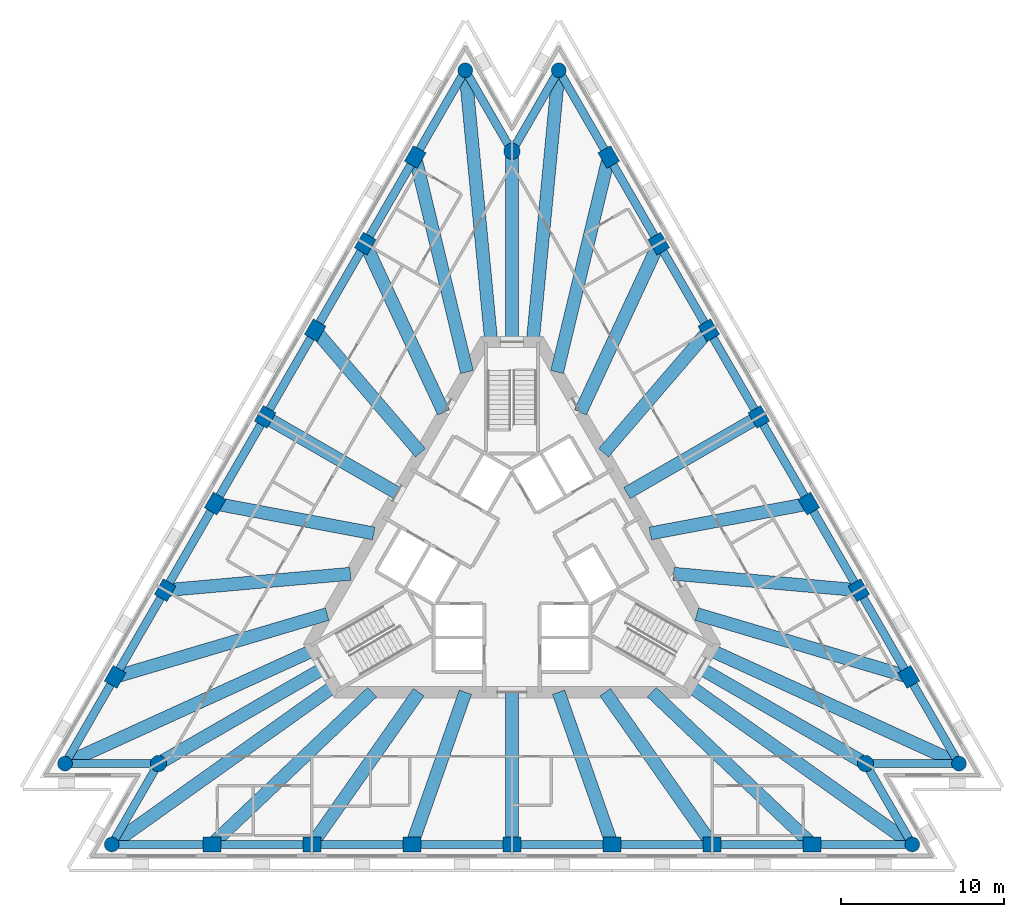
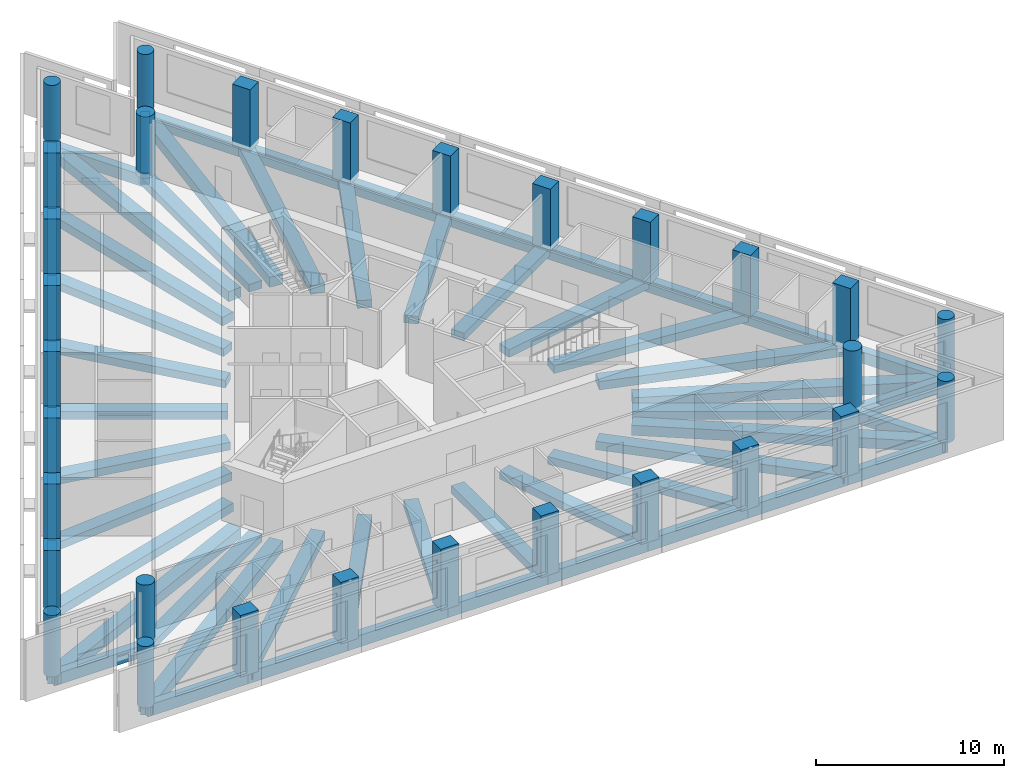
# One storey, part 1 of 9: 60 beams, 30 columns.
"""IFC4 building model written with IfcOpenShell, lengths in metres."""

from ifc_helpers import new_model, si_unit, direction, frame, origin, origin_2d, place, context, subcontext, project, spatial, rectangle, circle, extrude, material, material_profile, profile_set, type_object, element, save


model = new_model("IFC4")

# Units and contexts
model_context = context("Model", 3, precision=1e-05, world=origin(), true_north=direction((0.0, 1.0)))
body_context = subcontext(model_context, "Body", "Model", "MODEL_VIEW")
ifc_project = project(units=[si_unit("LENGTHUNIT", "METRE"), si_unit("AREAUNIT", "SQUARE_METRE"), si_unit("VOLUMEUNIT", "CUBIC_METRE"), si_unit("PLANEANGLEUNIT", "RADIAN"), si_unit("MASSUNIT", "GRAM", prefix="KILO")], contexts=[model_context])

# Site, building, storey
site_placement = place(None, origin())
site = spatial("IfcSite", under=ifc_project, at=site_placement, CompositionType="ELEMENT")
building_placement = place(site_placement, origin())
building = spatial("IfcBuilding", under=site, at=building_placement, Name="Triada Interchange Tower", CompositionType="ELEMENT")
storey_placement = place(building_placement, frame((0.0, 0.0, 203.300048828125)))
storey = spatial("IfcBuildingStorey", under=building, at=storey_placement, Name="L47", CompositionType="ELEMENT", Elevation=203.300048828125)

# Columns
ifc_material = material(Name="Concrete C50/60", Category="concrete")
ifc_material_profile_1 = material_profile(ifc_material, rectangle(XDim=1.10009765625, YDim=0.89990234375, at=origin_2d()), Name="RC 1100x900")
ifc_profile_set_1 = profile_set([ifc_material_profile_1], Name="Concrete C50/60")
column_type_1 = type_object("IfcColumnType", Name="Column C face RC 1100x900", PredefinedType="COLUMN", material=ifc_profile_set_1)
for number, where, z_axis, x_axis, name in (
    (1, (-5.94091796875, 24.714111328125, -0.300048828125), (0.0, 0.0, 1.0), (0.5, 0.866025403784, 0.0), "Column CC02 L47"),
    (2, (-9.012939453125, 19.39306640625, -0.300048828125), (0.0, 0.0, 1.0), (0.5, 0.866025403784, 0.0), "Column CC03 L47"),
    (3, (-12.0849609375, 14.072021484375, -0.300048828125), (0.0, 0.0, 1.0), (0.5, 0.866025403784, 0.0), "Column CC04 L47"),
    (4, (-15.157958984375, 8.7509765625, -0.300048828125), (0.0, 0.0, 1.0), (0.5, 0.866025403784, 0.0), "Column CC05 L47"),
    (5, (-18.22998046875, 3.429931640625, -0.300048828125), (0.0, 0.0, 1.0), (0.5, 0.866025403784, 0.0), "Column CC06 L47"),
    (6, (-21.302001953125, -1.89111328125, -0.300048828125), (0.0, 0.0, 1.0), (0.5, 0.866025403784, 0.0), "Column CC07 L47"),
    (7, (-24.3740234375, -7.2119140625, -0.300048828125), (0.0, 0.0, 1.0), (0.5, 0.866025403784, 0.0), "Column CC08 L47"),
    (8, (-18.43310546875, -17.501953125, -0.300048828125), (0.0, 0.0, 1.0), (1.0, 0.0, 0.0), "Column CC11 L47"),
    (9, (-12.2880859375, -17.501953125, -0.300048828125), (0.0, 0.0, 1.0), (1.0, 0.0, 0.0), "Column CC12 L47"),
    (10, (-6.14404296875, -17.501953125, -0.300048828125), (0.0, 0.0, 1.0), (1.0, 0.0, 0.0), "Column CC13 L47"),
    (11, (0.0, -17.501953125, -0.300048828125), (0.0, 0.0, 1.0), (1.0, 0.0, 0.0), "Column CC14 L47"),
    (12, (6.14404296875, -17.501953125, -0.300048828125), (0.0, 0.0, 1.0), (1.0, 0.0, 0.0), "Column CC15 L47"),
    (13, (12.2890625, -17.501953125, -0.300048828125), (0.0, 0.0, 1.0), (1.0, 0.0, 0.0), "Column CC16 L47"),
    (14, (18.43310546875, -17.501953125, -0.300048828125), (0.0, 0.0, 1.0), (1.0, 0.0, 0.0), "Column CC17 L47"),
    (15, (24.3740234375, -7.2119140625, -0.300048828125), (0.0, 0.0, 1.0), (-0.5, 0.866025403784, 0.0), "Column CC20 L47"),
    (16, (21.302001953125, -1.89111328125, -0.300048828125), (0.0, 0.0, 1.0), (-0.5, 0.866025403784, 0.0), "Column CC21 L47"),
    (17, (18.22998046875, 3.429931640625, -0.300048828125), (0.0, 0.0, 1.0), (-0.5, 0.866025403784, 0.0), "Column CC22 L47"),
    (18, (15.157958984375, 8.7509765625, -0.300048828125), (0.0, 0.0, 1.0), (-0.5, 0.866025403784, 0.0), "Column CC23 L47"),
    (19, (12.0849609375, 14.072021484375, -0.300048828125), (0.0, 0.0, 1.0), (-0.5, 0.866025403784, 0.0), "Column CC24 L47"),
    (20, (9.012939453125, 19.39306640625, -0.300048828125), (0.0, 0.0, 1.0), (-0.5, 0.866025403784, 0.0), "Column CC25 L47"),
    (21, (5.94091796875, 24.714111328125, -0.300048828125), (0.0, 0.0, 1.0), (-0.5, 0.866025403784, 0.0), "Column CC26 L47"),
):
    element("IfcColumn", number, at=place(storey_placement, frame(where, z_axis=z_axis, x_axis=x_axis)), inside=storey, type_object=column_type_1, Name=name, PredefinedType="COLUMN", context=body_context, shape_type="SweptSolid", body=[
        extrude(rectangle(XDim=1.10009765625, YDim=0.89990234375, at=origin_2d()), origin(), (0.0, 0.0, 1.0), 4.0),
    ])
ifc_material_profile_2 = material_profile(ifc_material, circle(Radius=0.449951171875, at=origin_2d()), Name="RC D900")
ifc_profile_set_2 = profile_set([ifc_material_profile_2], Name="Concrete C50/60")
column_type_2 = type_object("IfcColumnType", Name="End column C RC D900", PredefinedType="COLUMN", material=ifc_profile_set_2)
for number, where, z_axis, x_axis, name in (
    (22, (-2.868896484375, 30.034912109375, -0.300048828125), (0.0, 0.0, 1.0), (0.5, 0.866025403784, 0.0), "Column CC01 L47"),
    (23, (-27.446044921875, -12.532958984375, -0.300048828125), (0.0, 0.0, 1.0), (0.5, 0.866025403784, 0.0), "Column CC09 L47"),
    (24, (-24.576904296875, -17.501953125, -0.300048828125), (0.0, 0.0, 1.0), (1.0, 0.0, 0.0), "Column CC10 L47"),
    (25, (24.576904296875, -17.501953125, -0.300048828125), (0.0, 0.0, 1.0), (1.0, 0.0, 0.0), "Column CC18 L47"),
    (26, (27.446044921875, -12.532958984375, -0.300048828125), (0.0, 0.0, 1.0), (-0.5, 0.866025403784, 0.0), "Column CC19 L47"),
    (27, (2.868896484375, 30.034912109375, -0.300048828125), (0.0, 0.0, 1.0), (-0.5, 0.866025403784, 0.0), "Column CC27 L47"),
):
    element("IfcColumn", number, at=place(storey_placement, frame(where, z_axis=z_axis, x_axis=x_axis)), inside=storey, type_object=column_type_2, Name=name, PredefinedType="COLUMN", context=body_context, shape_type="SweptSolid", body=[
        extrude(circle(Radius=0.449951171875, at=origin_2d()), origin(), (0.0, 0.0, 1.0), 4.0),
    ])
ifc_material_profile_3 = material_profile(ifc_material, circle(Radius=0.5, at=origin_2d()), Name="RC D1000")
ifc_profile_set_3 = profile_set([ifc_material_profile_3], Name="Concrete C50/60")
column_type_3 = type_object("IfcColumnType", Name="Mega column C RC D1000", PredefinedType="COLUMN", material=ifc_profile_set_3)
for number, where, z_axis, x_axis, name in (
    (28, (0.0, 25.06689453125, -0.300048828125), (0.0, 0.0, 1.0), (1.0, 0.0, 0.0), "Column MC1 L47"),
    (29, (-21.7080078125, -12.532958984375, -0.300048828125), (0.0, 0.0, 1.0), (1.0, 0.0, 0.0), "Column MC2 L47"),
    (30, (21.7080078125, -12.532958984375, -0.300048828125), (0.0, 0.0, 1.0), (1.0, 0.0, 0.0), "Column MC3 L47"),
):
    element("IfcColumn", number, at=place(storey_placement, frame(where, z_axis=z_axis, x_axis=x_axis)), inside=storey, type_object=column_type_3, Name=name, PredefinedType="COLUMN", context=body_context, shape_type="SweptSolid", body=[
        extrude(circle(Radius=0.5, at=origin_2d()), origin(), (0.0, 0.0, 1.0), 4.0),
    ])

# Beams
ifc_material_profile_4 = material_profile(ifc_material, rectangle(XDim=0.800048828125, YDim=0.5, at=origin_2d()), Name="RC 800x500")
ifc_profile_set_4 = profile_set([ifc_material_profile_4], Name="Concrete C50/60")
beam_type_1 = type_object("IfcBeamType", Name="Radial band beam C RC 800x500", PredefinedType="BEAM", material=ifc_profile_set_4)
beam_1_placement = place(storey_placement, frame((-9.012939453125, 19.39306640625, -0.550048828125), z_axis=(0.421435804437, -0.906858237399, 0.0), x_axis=(0.906858237399, 0.421435804437, 0.0)))
element("IfcBeam", 31, at=beam_1_placement, inside=storey, type_object=beam_type_1, Name="Radial band beam BC03 L47", PredefinedType="BEAM", context=body_context, shape_type="SweptSolid", body=[
    extrude(rectangle(XDim=0.800048828125, YDim=0.5, at=origin_2d()), origin(), (0.0, 0.0, 1.0), 11.427490234375),
])
beam_2_placement = place(storey_placement, frame((-12.0849609375, 14.072021484375, -0.550048828125), z_axis=(0.651553753788, -0.758602468969, 0.0), x_axis=(0.758602468969, 0.651553753788, 0.0)))
element("IfcBeam", 32, at=beam_2_placement, inside=storey, type_object=beam_type_1, Name="Radial band beam BC04 L47", PredefinedType="BEAM", context=body_context, shape_type="SweptSolid", body=[
    extrude(rectangle(XDim=0.800048828125, YDim=0.5, at=origin_2d()), origin(), (0.0, 0.0, 1.0), 9.91162109375),
])
beam_3_placement = place(storey_placement, frame((-15.157958984375, 8.7509765625, -0.550048828125), z_axis=(0.866045182482, -0.499965740726, 0.0), x_axis=(0.499965740726, 0.866045182482, 0.0)))
element("IfcBeam", 33, at=beam_3_placement, inside=storey, type_object=beam_type_1, Name="Radial band beam BC05 L47", PredefinedType="BEAM", context=body_context, shape_type="SweptSolid", body=[
    extrude(rectangle(XDim=0.800048828125, YDim=0.5, at=origin_2d()), origin(), (0.0, 0.0, 1.0), 9.352783203125),
])
beam_4_placement = place(storey_placement, frame((-18.22998046875, 3.429931640625, -0.550048828125), z_axis=(0.982751797305, -0.184929459239, 0.0), x_axis=(0.184929459239, 0.982751797305, 0.0)))
element("IfcBeam", 34, at=beam_4_placement, inside=storey, type_object=beam_type_1, Name="Radial band beam BC06 L47", PredefinedType="BEAM", context=body_context, shape_type="SweptSolid", body=[
    extrude(rectangle(XDim=0.800048828125, YDim=0.5, at=origin_2d()), origin(), (0.0, 0.0, 1.0), 9.911865234375),
])
beam_5_placement = place(storey_placement, frame((-21.302001953125, -1.89111328125, -0.550048828125), z_axis=(0.996086654395, 0.088381994407, 0.0), x_axis=(-0.088381994407, 0.996086654395, 0.0)))
element("IfcBeam", 35, at=beam_5_placement, inside=storey, type_object=beam_type_1, Name="Radial band beam BC07 L47", PredefinedType="BEAM", context=body_context, shape_type="SweptSolid", body=[
    extrude(rectangle(XDim=0.800048828125, YDim=0.5, at=origin_2d()), origin(), (0.0, 0.0, 1.0), 11.427734375),
])
beam_6_placement = place(storey_placement, frame((-21.7080078125, -12.532958984375, -0.550048828125), z_axis=(0.866021094919, 0.500007463099, 0.0), x_axis=(-0.500007463099, 0.866021094919, 0.0)))
element("IfcBeam", 36, at=beam_6_placement, inside=storey, type_object=beam_type_1, Name="Radial band beam BC10 L47", PredefinedType="BEAM", context=body_context, shape_type="SweptSolid", body=[
    extrude(rectangle(XDim=0.800048828125, YDim=0.5, at=origin_2d()), origin(), (0.0, 0.0, 1.0), 11.715576171875),
])
beam_7_placement = place(storey_placement, frame((-12.2880859375, -17.501953125, -0.550048828125), z_axis=(0.574620373641, 0.818420079297, 0.0), x_axis=(-0.818420079297, 0.574620373641, 0.0)))
element("IfcBeam", 37, at=beam_7_placement, inside=storey, type_object=beam_type_1, Name="Radial band beam BC13 L47", PredefinedType="BEAM", context=body_context, shape_type="SweptSolid", body=[
    extrude(rectangle(XDim=0.800048828125, YDim=0.5, at=origin_2d()), origin(), (0.0, 0.0, 1.0), 11.427001953125),
])
beam_8_placement = place(storey_placement, frame((-6.14404296875, -17.501953125, -0.550048828125), z_axis=(0.331225841465, 0.94355150466, 0.0), x_axis=(-0.94355150466, 0.331225841465, 0.0)))
element("IfcBeam", 38, at=beam_8_placement, inside=storey, type_object=beam_type_1, Name="Radial band beam BC14 L47", PredefinedType="BEAM", context=body_context, shape_type="SweptSolid", body=[
    extrude(rectangle(XDim=0.800048828125, YDim=0.5, at=origin_2d()), origin(), (0.0, 0.0, 1.0), 9.91162109375),
])
beam_9_placement = place(storey_placement, frame((0.0, -17.501953125, -0.550048828125), z_axis=(0.0, 1.0, 0.0), x_axis=(-1.0, 0.0, 0.0)))
element("IfcBeam", 39, at=beam_9_placement, inside=storey, type_object=beam_type_1, Name="Radial band beam BC15 L47", PredefinedType="BEAM", context=body_context, shape_type="SweptSolid", body=[
    extrude(rectangle(XDim=0.800048828125, YDim=0.5, at=origin_2d()), origin(), (0.0, 0.0, 1.0), 9.35205078125),
])
beam_10_placement = place(storey_placement, frame((6.14404296875, -17.501953125, -0.550048828125), z_axis=(-0.331225841465, 0.94355150466, 0.0), x_axis=(-0.94355150466, -0.331225841465, 0.0)))
element("IfcBeam", 40, at=beam_10_placement, inside=storey, type_object=beam_type_1, Name="Radial band beam BC16 L47", PredefinedType="BEAM", context=body_context, shape_type="SweptSolid", body=[
    extrude(rectangle(XDim=0.800048828125, YDim=0.5, at=origin_2d()), origin(), (0.0, 0.0, 1.0), 9.91162109375),
])
beam_11_placement = place(storey_placement, frame((12.2890625, -17.501953125, -0.550048828125), z_axis=(-0.574620373641, 0.818420079297, 0.0), x_axis=(-0.818420079297, -0.574620373641, 0.0)))
element("IfcBeam", 41, at=beam_11_placement, inside=storey, type_object=beam_type_1, Name="Radial band beam BC17 L47", PredefinedType="BEAM", context=body_context, shape_type="SweptSolid", body=[
    extrude(rectangle(XDim=0.800048828125, YDim=0.5, at=origin_2d()), origin(), (0.0, 0.0, 1.0), 11.427001953125),
])
beam_12_placement = place(storey_placement, frame((21.7080078125, -12.532958984375, -0.550048828125), z_axis=(-0.866021094919, 0.500007463099, 0.0), x_axis=(-0.500007463099, -0.866021094919, 0.0)))
element("IfcBeam", 42, at=beam_12_placement, inside=storey, type_object=beam_type_1, Name="Radial band beam BC20 L47", PredefinedType="BEAM", context=body_context, shape_type="SweptSolid", body=[
    extrude(rectangle(XDim=0.800048828125, YDim=0.5, at=origin_2d()), origin(), (0.0, 0.0, 1.0), 11.715576171875),
])
beam_13_placement = place(storey_placement, frame((21.302001953125, -1.89111328125, -0.550048828125), z_axis=(-0.996086654395, 0.088381994407, 0.0), x_axis=(-0.088381994407, -0.996086654395, 0.0)))
element("IfcBeam", 43, at=beam_13_placement, inside=storey, type_object=beam_type_1, Name="Radial band beam BC23 L47", PredefinedType="BEAM", context=body_context, shape_type="SweptSolid", body=[
    extrude(rectangle(XDim=0.800048828125, YDim=0.5, at=origin_2d()), origin(), (0.0, 0.0, 1.0), 11.427734375),
])
beam_14_placement = place(storey_placement, frame((18.22998046875, 3.429931640625, -0.550048828125), z_axis=(-0.982751797305, -0.184929459239, 0.0), x_axis=(0.184929459239, -0.982751797305, 0.0)))
element("IfcBeam", 44, at=beam_14_placement, inside=storey, type_object=beam_type_1, Name="Radial band beam BC24 L47", PredefinedType="BEAM", context=body_context, shape_type="SweptSolid", body=[
    extrude(rectangle(XDim=0.800048828125, YDim=0.5, at=origin_2d()), origin(), (0.0, 0.0, 1.0), 9.911865234375),
])
beam_15_placement = place(storey_placement, frame((15.157958984375, 8.7509765625, -0.550048828125), z_axis=(-0.866045182482, -0.499965740726, 0.0), x_axis=(0.499965740726, -0.866045182482, 0.0)))
element("IfcBeam", 45, at=beam_15_placement, inside=storey, type_object=beam_type_1, Name="Radial band beam BC25 L47", PredefinedType="BEAM", context=body_context, shape_type="SweptSolid", body=[
    extrude(rectangle(XDim=0.800048828125, YDim=0.5, at=origin_2d()), origin(), (0.0, 0.0, 1.0), 9.352783203125),
])
beam_16_placement = place(storey_placement, frame((12.0849609375, 14.072021484375, -0.550048828125), z_axis=(-0.651553753788, -0.758602468969, 0.0), x_axis=(0.758602468969, -0.651553753788, 0.0)))
element("IfcBeam", 46, at=beam_16_placement, inside=storey, type_object=beam_type_1, Name="Radial band beam BC26 L47", PredefinedType="BEAM", context=body_context, shape_type="SweptSolid", body=[
    extrude(rectangle(XDim=0.800048828125, YDim=0.5, at=origin_2d()), origin(), (0.0, 0.0, 1.0), 9.91162109375),
])
beam_17_placement = place(storey_placement, frame((9.012939453125, 19.39306640625, -0.550048828125), z_axis=(-0.421435804437, -0.906858237399, 0.0), x_axis=(0.906858237399, -0.421435804437, 0.0)))
element("IfcBeam", 47, at=beam_17_placement, inside=storey, type_object=beam_type_1, Name="Radial band beam BC27 L47", PredefinedType="BEAM", context=body_context, shape_type="SweptSolid", body=[
    extrude(rectangle(XDim=0.800048828125, YDim=0.5, at=origin_2d()), origin(), (0.0, 0.0, 1.0), 11.427490234375),
])
beam_18_placement = place(storey_placement, frame((0.0, 25.06689453125, -0.550048828125), z_axis=(0.0, -1.0, 0.0), x_axis=(1.0, 0.0, 0.0)))
element("IfcBeam", 48, at=beam_18_placement, inside=storey, type_object=beam_type_1, Name="Radial band beam BC30 L47", PredefinedType="BEAM", context=body_context, shape_type="SweptSolid", body=[
    extrude(rectangle(XDim=0.800048828125, YDim=0.5, at=origin_2d()), origin(), (0.0, 0.0, 1.0), 11.716796875),
])
ifc_material_profile_5 = material_profile(ifc_material, rectangle(XDim=0.800048828125, YDim=0.550048828125, at=origin_2d()), Name="RC 800x550")
ifc_profile_set_5 = profile_set([ifc_material_profile_5], Name="Concrete C50/60")
beam_type_2 = type_object("IfcBeamType", Name="Radial band beam C RC 800x550", PredefinedType="BEAM", material=ifc_profile_set_5)
for number, where, z_axis, x_axis, name in (
    (49, (-5.94091796875, 24.714111328125, -0.574951171875), (0.233745486044, -0.972297818446, 0.0), (0.972297818446, 0.233745486044, 0.0), "Radial band beam BC02 L47"),
    (50, (-24.3740234375, -7.2119140625, -0.574951171875), (0.958897064594, 0.283754153295, 0.0), (-0.283754153295, 0.958897064594, 0.0), "Radial band beam BC08 L47"),
):
    element("IfcBeam", number, at=place(storey_placement, frame(where, z_axis=z_axis, x_axis=x_axis)), inside=storey, type_object=beam_type_2, Name=name, PredefinedType="BEAM", context=body_context, shape_type="SweptSolid", body=[
        extrude(rectangle(XDim=0.800048828125, YDim=0.550048828125, at=origin_2d()), origin(), (0.0, 0.0, 1.0), 13.582275390625),
    ])
for number, where, z_axis, x_axis, name in (
    (51, (-18.43310546875, -17.501953125, -0.574951171875), (0.725169057196, 0.688570866713, 0.0), (-0.688570866713, 0.725169057196, 0.0), "Radial band beam BC12 L47"),
    (52, (18.43310546875, -17.501953125, -0.574951171875), (-0.725169057196, 0.688570866713, 0.0), (-0.688570866713, -0.725169057196, 0.0), "Radial band beam BC18 L47"),
):
    element("IfcBeam", number, at=place(storey_placement, frame(where, z_axis=z_axis, x_axis=x_axis)), inside=storey, type_object=beam_type_2, Name=name, PredefinedType="BEAM", context=body_context, shape_type="SweptSolid", body=[
        extrude(rectangle(XDim=0.800048828125, YDim=0.550048828125, at=origin_2d()), origin(), (0.0, 0.0, 1.0), 13.581787109375),
    ])
for number, where, z_axis, x_axis, name in (
    (53, (24.3740234375, -7.2119140625, -0.574951171875), (-0.958897064594, 0.283754153295, 0.0), (-0.283754153295, -0.958897064594, 0.0), "Radial band beam BC22 L47"),
    (54, (5.94091796875, 24.714111328125, -0.574951171875), (-0.233745486044, -0.972297818446, 0.0), (0.972297818446, -0.233745486044, 0.0), "Radial band beam BC28 L47"),
):
    element("IfcBeam", number, at=place(storey_placement, frame(where, z_axis=z_axis, x_axis=x_axis)), inside=storey, type_object=beam_type_2, Name=name, PredefinedType="BEAM", context=body_context, shape_type="SweptSolid", body=[
        extrude(rectangle(XDim=0.800048828125, YDim=0.550048828125, at=origin_2d()), origin(), (0.0, 0.0, 1.0), 13.582275390625),
    ])
ifc_material_profile_6 = material_profile(ifc_material, rectangle(XDim=0.800048828125, YDim=0.64990234375, at=origin_2d()), Name="RC 800x650")
ifc_profile_set_6 = profile_set([ifc_material_profile_6], Name="Concrete C50/60")
beam_type_3 = type_object("IfcBeamType", Name="Radial band beam C RC 800x650", PredefinedType="BEAM", material=ifc_profile_set_6)
beam_19_placement = place(storey_placement, frame((-2.868896484375, 30.034912109375, -0.625), z_axis=(0.095102605267, -0.995467475346, 0.0), x_axis=(0.995467475346, 0.095102605267, 0.0)))
element("IfcBeam", 55, at=beam_19_placement, inside=storey, type_object=beam_type_3, Name="Radial band beam BC01 L47", PredefinedType="BEAM", context=body_context, shape_type="SweptSolid", body=[
    extrude(rectangle(XDim=0.800048828125, YDim=0.64990234375, at=origin_2d()), origin(), (0.0, 0.0, 1.0), 16.7607421875),
])
beam_20_placement = place(storey_placement, frame((-27.446044921875, -12.532958984375, -0.625), z_axis=(0.909658813197, 0.415356285101, 0.0), x_axis=(-0.415356285101, 0.909658813197, 0.0)))
element("IfcBeam", 56, at=beam_20_placement, inside=storey, type_object=beam_type_3, Name="Radial band beam BC09 L47", PredefinedType="BEAM", context=body_context, shape_type="SweptSolid", body=[
    extrude(rectangle(XDim=0.800048828125, YDim=0.64990234375, at=origin_2d()), origin(), (0.0, 0.0, 1.0), 16.76123046875),
])
for number, where, z_axis, x_axis, name in (
    (57, (-24.576904296875, -17.501953125, -0.625), (0.814554450397, 0.580087103234, 0.0), (-0.580087103234, 0.814554450397, 0.0), "Radial band beam BC11 L47"),
    (58, (24.576904296875, -17.501953125, -0.625), (-0.814554450397, 0.580087103234, 0.0), (-0.580087103234, -0.814554450397, 0.0), "Radial band beam BC19 L47"),
):
    element("IfcBeam", number, at=place(storey_placement, frame(where, z_axis=z_axis, x_axis=x_axis)), inside=storey, type_object=beam_type_3, Name=name, PredefinedType="BEAM", context=body_context, shape_type="SweptSolid", body=[
        extrude(rectangle(XDim=0.800048828125, YDim=0.64990234375, at=origin_2d()), origin(), (0.0, 0.0, 1.0), 16.760986328125),
    ])
beam_21_placement = place(storey_placement, frame((27.446044921875, -12.532958984375, -0.625), z_axis=(-0.909658813197, 0.415356285101, 0.0), x_axis=(-0.415356285101, -0.909658813197, 0.0)))
element("IfcBeam", 59, at=beam_21_placement, inside=storey, type_object=beam_type_3, Name="Radial band beam BC21 L47", PredefinedType="BEAM", context=body_context, shape_type="SweptSolid", body=[
    extrude(rectangle(XDim=0.800048828125, YDim=0.64990234375, at=origin_2d()), origin(), (0.0, 0.0, 1.0), 16.76123046875),
])
beam_22_placement = place(storey_placement, frame((2.868896484375, 30.034912109375, -0.625), z_axis=(-0.095102605267, -0.995467475346, 0.0), x_axis=(0.995467475346, -0.095102605267, 0.0)))
element("IfcBeam", 60, at=beam_22_placement, inside=storey, type_object=beam_type_3, Name="Radial band beam BC29 L47", PredefinedType="BEAM", context=body_context, shape_type="SweptSolid", body=[
    extrude(rectangle(XDim=0.800048828125, YDim=0.64990234375, at=origin_2d()), origin(), (0.0, 0.0, 1.0), 16.7607421875),
])
ifc_material_profile_7 = material_profile(ifc_material, rectangle(XDim=0.5, YDim=0.75, at=origin_2d()), Name="RC 500x750")
ifc_profile_set_7 = profile_set([ifc_material_profile_7], Name="Concrete C50/60")
beam_type_4 = type_object("IfcBeamType", Name="Spandrel beam C RC 500x750", PredefinedType="BEAM", material=ifc_profile_set_7)
beam_23_placement = place(storey_placement, frame((-2.868896484375, 30.034912109375, -0.675048828125), z_axis=(-0.500006801911, -0.866021476663, 0.0), x_axis=(0.866021476663, -0.500006801911, 0.0)))
element("IfcBeam", 61, at=beam_23_placement, inside=storey, type_object=beam_type_4, Name="Spandrel beam EC01 L47", PredefinedType="BEAM", context=body_context, shape_type="SweptSolid", body=[
    extrude(rectangle(XDim=0.5, YDim=0.75, at=origin_2d()), origin(), (0.0, 0.0, 1.0), 6.14404296875),
])
for number, where, z_axis, x_axis, name in (
    (62, (-5.94091796875, 24.714111328125, -0.675048828125), (-0.499989595756, -0.866031410594, 0.0), (0.866031410594, -0.499989595756, 0.0), "Spandrel beam EC02 L47"),
    (63, (-9.012939453125, 19.39306640625, -0.675048828125), (-0.499989595756, -0.866031410594, 0.0), (0.866031410594, -0.499989595756, 0.0), "Spandrel beam EC03 L47"),
):
    element("IfcBeam", number, at=place(storey_placement, frame(where, z_axis=z_axis, x_axis=x_axis)), inside=storey, type_object=beam_type_4, Name=name, PredefinedType="BEAM", context=body_context, shape_type="SweptSolid", body=[
        extrude(rectangle(XDim=0.5, YDim=0.75, at=origin_2d()), origin(), (0.0, 0.0, 1.0), 6.144287109375),
    ])
beam_24_placement = place(storey_placement, frame((-12.0849609375, 14.072021484375, -0.675048828125), z_axis=(-0.500108789176, -0.865962585213, 0.0), x_axis=(0.865962585213, -0.500108789176, 0.0)))
element("IfcBeam", 64, at=beam_24_placement, inside=storey, type_object=beam_type_4, Name="Spandrel beam EC04 L47", PredefinedType="BEAM", context=body_context, shape_type="SweptSolid", body=[
    extrude(rectangle(XDim=0.5, YDim=0.75, at=origin_2d()), origin(), (0.0, 0.0, 1.0), 6.144775390625),
])
for number, where, z_axis, x_axis, name in (
    (65, (-15.157958984375, 8.7509765625, -0.675048828125), (-0.499989595756, -0.866031410594, 0.0), (0.866031410594, -0.499989595756, 0.0), "Spandrel beam EC05 L47"),
    (66, (-18.22998046875, 3.429931640625, -0.675048828125), (-0.499989595756, -0.866031410594, 0.0), (0.866031410594, -0.499989595756, 0.0), "Spandrel beam EC06 L47"),
):
    element("IfcBeam", number, at=place(storey_placement, frame(where, z_axis=z_axis, x_axis=x_axis)), inside=storey, type_object=beam_type_4, Name=name, PredefinedType="BEAM", context=body_context, shape_type="SweptSolid", body=[
        extrude(rectangle(XDim=0.5, YDim=0.75, at=origin_2d()), origin(), (0.0, 0.0, 1.0), 6.144287109375),
    ])
beam_25_placement = place(storey_placement, frame((-21.302001953125, -1.89111328125, -0.675048828125), z_axis=(-0.500006801911, -0.866021476663, 0.0), x_axis=(0.866021476663, -0.500006801911, 0.0)))
element("IfcBeam", 67, at=beam_25_placement, inside=storey, type_object=beam_type_4, Name="Spandrel beam EC07 L47", PredefinedType="BEAM", context=body_context, shape_type="SweptSolid", body=[
    extrude(rectangle(XDim=0.5, YDim=0.75, at=origin_2d()), origin(), (0.0, 0.0, 1.0), 6.14404296875),
])
beam_26_placement = place(storey_placement, frame((-24.3740234375, -7.2119140625, -0.675048828125), z_axis=(-0.499989595756, -0.866031410594, 0.0), x_axis=(0.866031410594, -0.499989595756, 0.0)))
element("IfcBeam", 68, at=beam_26_placement, inside=storey, type_object=beam_type_4, Name="Spandrel beam EC08 L47", PredefinedType="BEAM", context=body_context, shape_type="SweptSolid", body=[
    extrude(rectangle(XDim=0.5, YDim=0.75, at=origin_2d()), origin(), (0.0, 0.0, 1.0), 6.144287109375),
])
beam_27_placement = place(storey_placement, frame((-27.446044921875, -12.532958984375, -0.675048828125), z_axis=(1.0, 0.0, 0.0), x_axis=(0.0, 1.0, 0.0)))
element("IfcBeam", 69, at=beam_27_placement, inside=storey, type_object=beam_type_4, Name="Spandrel beam EC09 L47", PredefinedType="BEAM", context=body_context, shape_type="SweptSolid", body=[
    extrude(rectangle(XDim=0.5, YDim=0.75, at=origin_2d()), origin(), (0.0, 0.0, 1.0), 5.738037109375),
])
beam_28_placement = place(storey_placement, frame((-21.7080078125, -12.532958984375, -0.675048828125), z_axis=(-0.500006062455, -0.866021903596, 0.0), x_axis=(0.866021903596, -0.500006062455, 0.0)))
element("IfcBeam", 70, at=beam_28_placement, inside=storey, type_object=beam_type_4, Name="Spandrel beam EC10 L47", PredefinedType="BEAM", context=body_context, shape_type="SweptSolid", body=[
    extrude(rectangle(XDim=0.5, YDim=0.75, at=origin_2d()), origin(), (0.0, 0.0, 1.0), 5.73779296875),
])
beam_29_placement = place(storey_placement, frame((-24.576904296875, -17.501953125, -0.675048828125), z_axis=(1.0, 0.0, 0.0), x_axis=(0.0, 1.0, 0.0)))
element("IfcBeam", 71, at=beam_29_placement, inside=storey, type_object=beam_type_4, Name="Spandrel beam EC11 L47", PredefinedType="BEAM", context=body_context, shape_type="SweptSolid", body=[
    extrude(rectangle(XDim=0.5, YDim=0.75, at=origin_2d()), origin(), (0.0, 0.0, 1.0), 6.143798828125),
])
beam_30_placement = place(storey_placement, frame((-18.43310546875, -17.501953125, -0.675048828125), z_axis=(1.0, 0.0, 0.0), x_axis=(0.0, 1.0, 0.0)))
element("IfcBeam", 72, at=beam_30_placement, inside=storey, type_object=beam_type_4, Name="Spandrel beam EC12 L47", PredefinedType="BEAM", context=body_context, shape_type="SweptSolid", body=[
    extrude(rectangle(XDim=0.5, YDim=0.75, at=origin_2d()), origin(), (0.0, 0.0, 1.0), 6.14501953125),
])
for number, where, z_axis, x_axis, name in (
    (73, (-12.2880859375, -17.501953125, -0.675048828125), (1.0, 0.0, 0.0), (0.0, 1.0, 0.0), "Spandrel beam EC13 L47"),
    (74, (-6.14404296875, -17.501953125, -0.675048828125), (1.0, 0.0, 0.0), (0.0, 1.0, 0.0), "Spandrel beam EC14 L47"),
    (75, (0.0, -17.501953125, -0.675048828125), (1.0, 0.0, 0.0), (0.0, 1.0, 0.0), "Spandrel beam EC15 L47"),
):
    element("IfcBeam", number, at=place(storey_placement, frame(where, z_axis=z_axis, x_axis=x_axis)), inside=storey, type_object=beam_type_4, Name=name, PredefinedType="BEAM", context=body_context, shape_type="SweptSolid", body=[
        extrude(rectangle(XDim=0.5, YDim=0.75, at=origin_2d()), origin(), (0.0, 0.0, 1.0), 6.14404296875),
    ])
beam_31_placement = place(storey_placement, frame((6.14404296875, -17.501953125, -0.675048828125), z_axis=(1.0, 0.0, 0.0), x_axis=(0.0, 1.0, 0.0)))
element("IfcBeam", 76, at=beam_31_placement, inside=storey, type_object=beam_type_4, Name="Spandrel beam EC16 L47", PredefinedType="BEAM", context=body_context, shape_type="SweptSolid", body=[
    extrude(rectangle(XDim=0.5, YDim=0.75, at=origin_2d()), origin(), (0.0, 0.0, 1.0), 6.14501953125),
])
beam_32_placement = place(storey_placement, frame((12.2890625, -17.501953125, -0.675048828125), z_axis=(1.0, 0.0, 0.0), x_axis=(0.0, 1.0, 0.0)))
element("IfcBeam", 77, at=beam_32_placement, inside=storey, type_object=beam_type_4, Name="Spandrel beam EC17 L47", PredefinedType="BEAM", context=body_context, shape_type="SweptSolid", body=[
    extrude(rectangle(XDim=0.5, YDim=0.75, at=origin_2d()), origin(), (0.0, 0.0, 1.0), 6.14404296875),
])
beam_33_placement = place(storey_placement, frame((18.43310546875, -17.501953125, -0.675048828125), z_axis=(1.0, 0.0, 0.0), x_axis=(0.0, 1.0, 0.0)))
element("IfcBeam", 78, at=beam_33_placement, inside=storey, type_object=beam_type_4, Name="Spandrel beam EC18 L47", PredefinedType="BEAM", context=body_context, shape_type="SweptSolid", body=[
    extrude(rectangle(XDim=0.5, YDim=0.75, at=origin_2d()), origin(), (0.0, 0.0, 1.0), 6.143798828125),
])
beam_34_placement = place(storey_placement, frame((24.576904296875, -17.501953125, -0.675048828125), z_axis=(-0.500006062455, 0.866021903596, 0.0), x_axis=(-0.866021903596, -0.500006062455, 0.0)))
element("IfcBeam", 79, at=beam_34_placement, inside=storey, type_object=beam_type_4, Name="Spandrel beam EC19 L47", PredefinedType="BEAM", context=body_context, shape_type="SweptSolid", body=[
    extrude(rectangle(XDim=0.5, YDim=0.75, at=origin_2d()), origin(), (0.0, 0.0, 1.0), 5.73779296875),
])
beam_35_placement = place(storey_placement, frame((21.7080078125, -12.532958984375, -0.675048828125), z_axis=(1.0, 0.0, 0.0), x_axis=(0.0, 1.0, 0.0)))
element("IfcBeam", 80, at=beam_35_placement, inside=storey, type_object=beam_type_4, Name="Spandrel beam EC20 L47", PredefinedType="BEAM", context=body_context, shape_type="SweptSolid", body=[
    extrude(rectangle(XDim=0.5, YDim=0.75, at=origin_2d()), origin(), (0.0, 0.0, 1.0), 5.738037109375),
])
beam_36_placement = place(storey_placement, frame((27.446044921875, -12.532958984375, -0.675048828125), z_axis=(-0.499989595756, 0.866031410594, 0.0), x_axis=(-0.866031410594, -0.499989595756, 0.0)))
element("IfcBeam", 81, at=beam_36_placement, inside=storey, type_object=beam_type_4, Name="Spandrel beam EC21 L47", PredefinedType="BEAM", context=body_context, shape_type="SweptSolid", body=[
    extrude(rectangle(XDim=0.5, YDim=0.75, at=origin_2d()), origin(), (0.0, 0.0, 1.0), 6.144287109375),
])
beam_37_placement = place(storey_placement, frame((24.3740234375, -7.2119140625, -0.675048828125), z_axis=(-0.500006801911, 0.866021476663, 0.0), x_axis=(-0.866021476663, -0.500006801911, 0.0)))
element("IfcBeam", 82, at=beam_37_placement, inside=storey, type_object=beam_type_4, Name="Spandrel beam EC22 L47", PredefinedType="BEAM", context=body_context, shape_type="SweptSolid", body=[
    extrude(rectangle(XDim=0.5, YDim=0.75, at=origin_2d()), origin(), (0.0, 0.0, 1.0), 6.14404296875),
])
for number, where, z_axis, x_axis, name in (
    (83, (21.302001953125, -1.89111328125, -0.675048828125), (-0.499989595756, 0.866031410594, 0.0), (-0.866031410594, -0.499989595756, 0.0), "Spandrel beam EC23 L47"),
    (84, (18.22998046875, 3.429931640625, -0.675048828125), (-0.499989595756, 0.866031410594, 0.0), (-0.866031410594, -0.499989595756, 0.0), "Spandrel beam EC24 L47"),
):
    element("IfcBeam", number, at=place(storey_placement, frame(where, z_axis=z_axis, x_axis=x_axis)), inside=storey, type_object=beam_type_4, Name=name, PredefinedType="BEAM", context=body_context, shape_type="SweptSolid", body=[
        extrude(rectangle(XDim=0.5, YDim=0.75, at=origin_2d()), origin(), (0.0, 0.0, 1.0), 6.144287109375),
    ])
beam_38_placement = place(storey_placement, frame((15.157958984375, 8.7509765625, -0.675048828125), z_axis=(-0.500108789176, 0.865962585213, 0.0), x_axis=(-0.865962585213, -0.500108789176, 0.0)))
element("IfcBeam", 85, at=beam_38_placement, inside=storey, type_object=beam_type_4, Name="Spandrel beam EC25 L47", PredefinedType="BEAM", context=body_context, shape_type="SweptSolid", body=[
    extrude(rectangle(XDim=0.5, YDim=0.75, at=origin_2d()), origin(), (0.0, 0.0, 1.0), 6.144775390625),
])
for number, where, z_axis, x_axis, name in (
    (86, (12.0849609375, 14.072021484375, -0.675048828125), (-0.499989595756, 0.866031410594, 0.0), (-0.866031410594, -0.499989595756, 0.0), "Spandrel beam EC26 L47"),
    (87, (9.012939453125, 19.39306640625, -0.675048828125), (-0.499989595756, 0.866031410594, 0.0), (-0.866031410594, -0.499989595756, 0.0), "Spandrel beam EC27 L47"),
):
    element("IfcBeam", number, at=place(storey_placement, frame(where, z_axis=z_axis, x_axis=x_axis)), inside=storey, type_object=beam_type_4, Name=name, PredefinedType="BEAM", context=body_context, shape_type="SweptSolid", body=[
        extrude(rectangle(XDim=0.5, YDim=0.75, at=origin_2d()), origin(), (0.0, 0.0, 1.0), 6.144287109375),
    ])
beam_39_placement = place(storey_placement, frame((5.94091796875, 24.714111328125, -0.675048828125), z_axis=(-0.500006801911, 0.866021476663, 0.0), x_axis=(-0.866021476663, -0.500006801911, 0.0)))
element("IfcBeam", 88, at=beam_39_placement, inside=storey, type_object=beam_type_4, Name="Spandrel beam EC28 L47", PredefinedType="BEAM", context=body_context, shape_type="SweptSolid", body=[
    extrude(rectangle(XDim=0.5, YDim=0.75, at=origin_2d()), origin(), (0.0, 0.0, 1.0), 6.14404296875),
])
for number, where, z_axis, x_axis, name in (
    (89, (2.868896484375, 30.034912109375, -0.675048828125), (-0.500079771016, -0.865979343068, 0.0), (0.865979343068, -0.500079771016, 0.0), "Spandrel beam EC29 L47"),
    (90, (0.0, 25.06689453125, -0.675048828125), (-0.500079771016, 0.865979343068, 0.0), (-0.865979343068, -0.500079771016, 0.0), "Spandrel beam EC30 L47"),
):
    element("IfcBeam", number, at=place(storey_placement, frame(where, z_axis=z_axis, x_axis=x_axis)), inside=storey, type_object=beam_type_4, Name=name, PredefinedType="BEAM", context=body_context, shape_type="SweptSolid", body=[
        extrude(rectangle(XDim=0.5, YDim=0.75, at=origin_2d()), origin(), (0.0, 0.0, 1.0), 5.73681640625),
    ])

save(model, "model.ifc")
